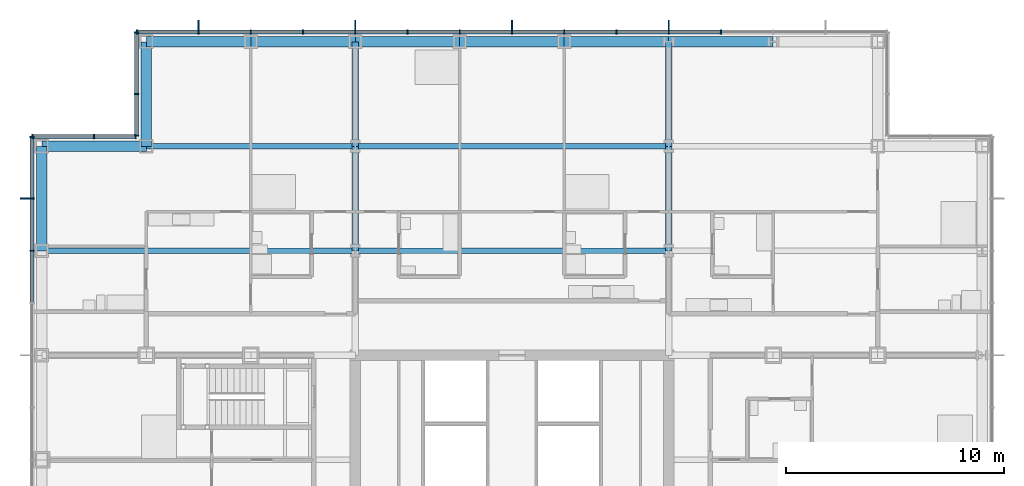
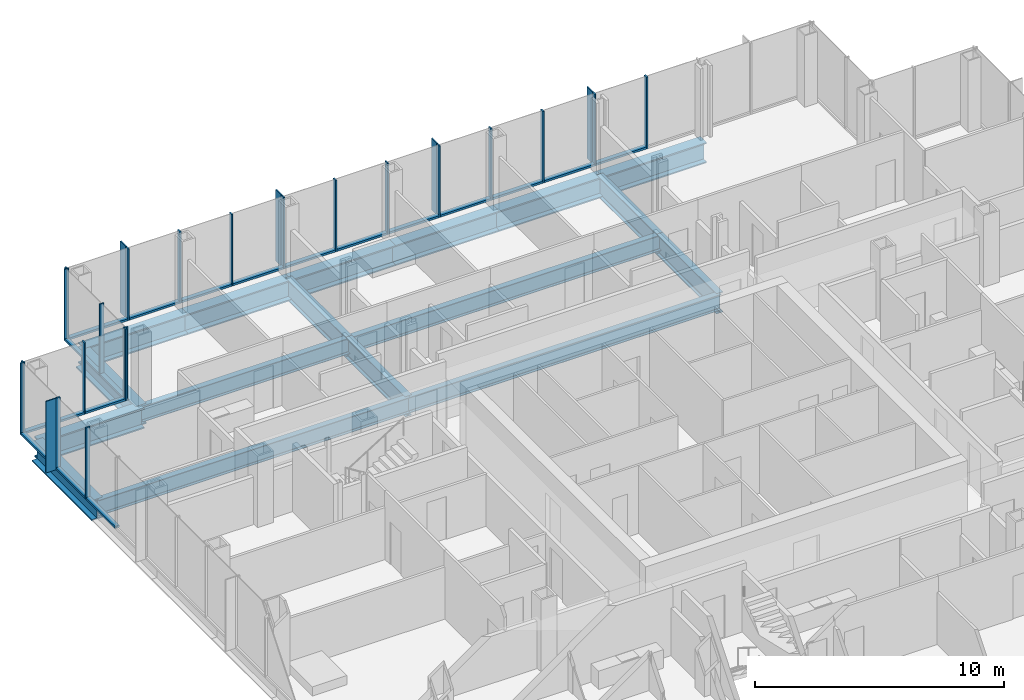
# One storey, part 10 of 21: 44 members, 17 beams, 4 elements without a shape of their own.
"""IFC4 building model written with IfcOpenShell, lengths in metres."""

from ifc_helpers import new_model, si_unit, direction, frame, origin, origin_2d, place, context, subcontext, project, spatial, rectangle, i_section, extrude, material, material_profile, profile_set, type_object, element, aggregate, save


model = new_model("IFC4")

# Units and contexts
model_context = context("Model", 3, precision=1e-05, world=origin(), true_north=direction((0.0, 1.0)))
body_context = subcontext(model_context, "Body", "Model", "MODEL_VIEW")
ifc_project = project(units=[si_unit("LENGTHUNIT", "METRE"), si_unit("AREAUNIT", "SQUARE_METRE"), si_unit("VOLUMEUNIT", "CUBIC_METRE"), si_unit("PLANEANGLEUNIT", "RADIAN"), si_unit("MASSUNIT", "GRAM", prefix="KILO")], contexts=[model_context])

# Site, building, storey
site_placement = place(None, origin())
site = spatial("IfcSite", under=ifc_project, at=site_placement, CompositionType="ELEMENT")
building_placement = place(site_placement, origin())
building = spatial("IfcBuilding", under=site, at=building_placement, Name="Kvirike Care Tower", CompositionType="ELEMENT")
storey_placement = place(building_placement, frame((0.0, 0.0, 58.5)))
storey = spatial("IfcBuildingStorey", under=building, at=storey_placement, Name="L15", CompositionType="ELEMENT", Elevation=58.5)

# Curtain wall, member
ifc_material_1 = material(Name="Anodised aluminium stick system", Category="aluminium")
curtain_wall_type = type_object("IfcCurtainWallType", Name="CW-A STICK CURTAIN WALL", PredefinedType="NOTDEFINED", material=ifc_material_1)
curtain_wall_1_placement = place(storey_placement, origin())
curtain_wall_1 = element("IfcCurtainWall", 1, at=curtain_wall_1_placement, inside=storey, type_object=curtain_wall_type, Name="Curtain wall L15 face 1", PredefinedType="NOTDEFINED")
ifc_material_2 = material(Name="Bronze anodised aluminium fin", Category="aluminium")
ifc_material_profile_1 = material_profile(ifc_material_2, rectangle(XDim=0.050048828125, YDim=0.449951171875, at=origin_2d()), Name="BRONZE FIN 450")
ifc_profile_set_1 = profile_set([ifc_material_profile_1], Name="Bronze anodised aluminium fin")
member_type_1 = type_object("IfcMemberType", Name="BRONZE FIN 450", PredefinedType="USERDEFINED", material=ifc_profile_set_1)
member_1_placement = place(storey_placement, frame((-0.77490234375, 50.39990234375, 0.0), z_axis=(0.0, 0.0, 1.0), x_axis=(0.0, -1.0, 0.0)))
member_1 = element("IfcMember", 2, at=member_1_placement, type_object=member_type_1, Name="Bronze fin L15 face 1.2", ObjectType="FIN", PredefinedType="USERDEFINED", context=body_context, shape_type="SweptSolid", body=[
    extrude(rectangle(XDim=0.050048828125, YDim=0.449951171875, at=origin_2d()), origin(), (0.0, 0.0, 1.0), 3.5),
])

# Curtain wall, members
curtain_wall_2_placement = place(storey_placement, origin())
curtain_wall_2 = element("IfcCurtainWall", 3, at=curtain_wall_2_placement, inside=storey, type_object=curtain_wall_type, Name="Curtain wall L15 face 10", PredefinedType="NOTDEFINED")
member_2_placement = place(storey_placement, frame((28.800048828125, 58.375, 0.0), z_axis=(0.0, 0.0, 1.0), x_axis=(-1.0, 0.0, 0.0)))
member_2 = element("IfcMember", 4, at=member_2_placement, type_object=member_type_1, Name="Bronze fin L15 face 10.5", ObjectType="FIN", PredefinedType="USERDEFINED", context=body_context, shape_type="SweptSolid", body=[
    extrude(rectangle(XDim=0.050048828125, YDim=0.449951171875, at=origin_2d()), origin(), (0.0, 0.0, 1.0), 3.5),
])
member_3_placement = place(storey_placement, frame((21.60009765625, 58.375, 0.0), z_axis=(0.0, 0.0, 1.0), x_axis=(-1.0, 0.0, 0.0)))
member_3 = element("IfcMember", 5, at=member_3_placement, type_object=member_type_1, Name="Bronze fin L15 face 10.8", ObjectType="FIN", PredefinedType="USERDEFINED", context=body_context, shape_type="SweptSolid", body=[
    extrude(rectangle(XDim=0.050048828125, YDim=0.449951171875, at=origin_2d()), origin(), (0.0, 0.0, 1.0), 3.5),
])
member_4_placement = place(storey_placement, frame((14.39990234375, 58.375, 0.0), z_axis=(0.0, 0.0, 1.0), x_axis=(-1.0, 0.0, 0.0)))
member_4 = element("IfcMember", 6, at=member_4_placement, type_object=member_type_1, Name="Bronze fin L15 face 10.11", ObjectType="FIN", PredefinedType="USERDEFINED", context=body_context, shape_type="SweptSolid", body=[
    extrude(rectangle(XDim=0.050048828125, YDim=0.449951171875, at=origin_2d()), origin(), (0.0, 0.0, 1.0), 3.5),
])
member_5_placement = place(storey_placement, frame((7.199951171875, 58.375, 0.0), z_axis=(0.0, 0.0, 1.0), x_axis=(-1.0, 0.0, 0.0)))
member_5 = element("IfcMember", 7, at=member_5_placement, type_object=member_type_1, Name="Bronze fin L15 face 10.14", ObjectType="FIN", PredefinedType="USERDEFINED", context=body_context, shape_type="SweptSolid", body=[
    extrude(rectangle(XDim=0.050048828125, YDim=0.449951171875, at=origin_2d()), origin(), (0.0, 0.0, 1.0), 3.5),
])

# Member
ifc_material_3 = material(Name="Bronze anodised aluminium mullion", Category="aluminium")
ifc_material_profile_2 = material_profile(ifc_material_3, rectangle(XDim=0.06494140625, YDim=0.199951171875, at=origin_2d()), Name="CW-A MULLION 65x200")
ifc_profile_set_2 = profile_set([ifc_material_profile_2], Name="Bronze anodised aluminium mullion")
member_type_2 = type_object("IfcMemberType", Name="CW-A MULLION 65x200", PredefinedType="MULLION", material=ifc_profile_set_2)
member_6_placement = place(storey_placement, frame((-0.449951171875, 53.217529296875, 0.0), z_axis=(0.0, 0.0, 1.0), x_axis=(0.0, -1.0, 0.0)))
member_6 = element("IfcMember", 8, at=member_6_placement, type_object=member_type_2, Name="CW-A mullion L15 face 1.1", PredefinedType="MULLION", context=body_context, shape_type="SweptSolid", body=[
    extrude(rectangle(XDim=0.06494140625, YDim=0.199951171875, at=origin_2d()), origin(), (0.0, 0.0, 1.0), 3.5),
])

member_7_placement = place(storey_placement, frame((-0.449951171875, 50.39990234375, 0.0), z_axis=(0.0, 0.0, 1.0), x_axis=(0.0, -1.0, 0.0)))
member_7 = element("IfcMember", 9, at=member_7_placement, type_object=member_type_2, Name="CW-A mullion L15 face 1.2", PredefinedType="MULLION", context=body_context, shape_type="SweptSolid", body=[
    extrude(rectangle(XDim=0.06494140625, YDim=0.199951171875, at=origin_2d()), origin(), (0.0, 0.0, 1.0), 3.5),
])

member_8_placement = place(storey_placement, frame((-0.449951171875, 48.0, 0.0), z_axis=(0.0, 0.0, 1.0), x_axis=(0.0, -1.0, 0.0)))
member_8 = element("IfcMember", 10, at=member_8_placement, type_object=member_type_2, Name="CW-A mullion L15 face 1.3", PredefinedType="MULLION", context=body_context, shape_type="SweptSolid", body=[
    extrude(rectangle(XDim=0.06494140625, YDim=0.199951171875, at=origin_2d()), origin(), (0.0, 0.0, 1.0), 3.5),
])

member_9_placement = place(storey_placement, frame((31.199951171875, 58.050048828125, 0.0), z_axis=(0.0, 0.0, 1.0), x_axis=(-1.0, 0.0, 0.0)))
member_9 = element("IfcMember", 11, at=member_9_placement, type_object=member_type_2, Name="CW-A mullion L15 face 10.4", PredefinedType="MULLION", context=body_context, shape_type="SweptSolid", body=[
    extrude(rectangle(XDim=0.06494140625, YDim=0.199951171875, at=origin_2d()), origin(), (0.0, 0.0, 1.0), 3.5),
])

member_10_placement = place(storey_placement, frame((28.800048828125, 58.050048828125, 0.0), z_axis=(0.0, 0.0, 1.0), x_axis=(-1.0, 0.0, 0.0)))
member_10 = element("IfcMember", 12, at=member_10_placement, type_object=member_type_2, Name="CW-A mullion L15 face 10.5", PredefinedType="MULLION", context=body_context, shape_type="SweptSolid", body=[
    extrude(rectangle(XDim=0.06494140625, YDim=0.199951171875, at=origin_2d()), origin(), (0.0, 0.0, 1.0), 3.5),
])

member_11_placement = place(storey_placement, frame((26.39990234375, 58.050048828125, 0.0), z_axis=(0.0, 0.0, 1.0), x_axis=(-1.0, 0.0, 0.0)))
member_11 = element("IfcMember", 13, at=member_11_placement, type_object=member_type_2, Name="CW-A mullion L15 face 10.6", PredefinedType="MULLION", context=body_context, shape_type="SweptSolid", body=[
    extrude(rectangle(XDim=0.06494140625, YDim=0.199951171875, at=origin_2d()), origin(), (0.0, 0.0, 1.0), 3.5),
])

member_12_placement = place(storey_placement, frame((24.0, 58.050048828125, 0.0), z_axis=(0.0, 0.0, 1.0), x_axis=(-1.0, 0.0, 0.0)))
member_12 = element("IfcMember", 14, at=member_12_placement, type_object=member_type_2, Name="CW-A mullion L15 face 10.7", PredefinedType="MULLION", context=body_context, shape_type="SweptSolid", body=[
    extrude(rectangle(XDim=0.06494140625, YDim=0.199951171875, at=origin_2d()), origin(), (0.0, 0.0, 1.0), 3.5),
])

member_13_placement = place(storey_placement, frame((21.60009765625, 58.050048828125, 0.0), z_axis=(0.0, 0.0, 1.0), x_axis=(-1.0, 0.0, 0.0)))
member_13 = element("IfcMember", 15, at=member_13_placement, type_object=member_type_2, Name="CW-A mullion L15 face 10.8", PredefinedType="MULLION", context=body_context, shape_type="SweptSolid", body=[
    extrude(rectangle(XDim=0.06494140625, YDim=0.199951171875, at=origin_2d()), origin(), (0.0, 0.0, 1.0), 3.5),
])

member_14_placement = place(storey_placement, frame((19.199951171875, 58.050048828125, 0.0), z_axis=(0.0, 0.0, 1.0), x_axis=(-1.0, 0.0, 0.0)))
member_14 = element("IfcMember", 16, at=member_14_placement, type_object=member_type_2, Name="CW-A mullion L15 face 10.9", PredefinedType="MULLION", context=body_context, shape_type="SweptSolid", body=[
    extrude(rectangle(XDim=0.06494140625, YDim=0.199951171875, at=origin_2d()), origin(), (0.0, 0.0, 1.0), 3.5),
])

member_15_placement = place(storey_placement, frame((16.800048828125, 58.050048828125, 0.0), z_axis=(0.0, 0.0, 1.0), x_axis=(-1.0, 0.0, 0.0)))
member_15 = element("IfcMember", 17, at=member_15_placement, type_object=member_type_2, Name="CW-A mullion L15 face 10.10", PredefinedType="MULLION", context=body_context, shape_type="SweptSolid", body=[
    extrude(rectangle(XDim=0.06494140625, YDim=0.199951171875, at=origin_2d()), origin(), (0.0, 0.0, 1.0), 3.5),
])

member_16_placement = place(storey_placement, frame((14.39990234375, 58.050048828125, 0.0), z_axis=(0.0, 0.0, 1.0), x_axis=(-1.0, 0.0, 0.0)))
member_16 = element("IfcMember", 18, at=member_16_placement, type_object=member_type_2, Name="CW-A mullion L15 face 10.11", PredefinedType="MULLION", context=body_context, shape_type="SweptSolid", body=[
    extrude(rectangle(XDim=0.06494140625, YDim=0.199951171875, at=origin_2d()), origin(), (0.0, 0.0, 1.0), 3.5),
])

member_17_placement = place(storey_placement, frame((12.0, 58.050048828125, 0.0), z_axis=(0.0, 0.0, 1.0), x_axis=(-1.0, 0.0, 0.0)))
member_17 = element("IfcMember", 19, at=member_17_placement, type_object=member_type_2, Name="CW-A mullion L15 face 10.12", PredefinedType="MULLION", context=body_context, shape_type="SweptSolid", body=[
    extrude(rectangle(XDim=0.06494140625, YDim=0.199951171875, at=origin_2d()), origin(), (0.0, 0.0, 1.0), 3.5),
])

member_18_placement = place(storey_placement, frame((9.60009765625, 58.050048828125, 0.0), z_axis=(0.0, 0.0, 1.0), x_axis=(-1.0, 0.0, 0.0)))
member_18 = element("IfcMember", 20, at=member_18_placement, type_object=member_type_2, Name="CW-A mullion L15 face 10.13", PredefinedType="MULLION", context=body_context, shape_type="SweptSolid", body=[
    extrude(rectangle(XDim=0.06494140625, YDim=0.199951171875, at=origin_2d()), origin(), (0.0, 0.0, 1.0), 3.5),
])

member_19_placement = place(storey_placement, frame((7.199951171875, 58.050048828125, 0.0), z_axis=(0.0, 0.0, 1.0), x_axis=(-1.0, 0.0, 0.0)))
member_19 = element("IfcMember", 21, at=member_19_placement, type_object=member_type_2, Name="CW-A mullion L15 face 10.14", PredefinedType="MULLION", context=body_context, shape_type="SweptSolid", body=[
    extrude(rectangle(XDim=0.06494140625, YDim=0.199951171875, at=origin_2d()), origin(), (0.0, 0.0, 1.0), 3.5),
])

member_20_placement = place(storey_placement, frame((4.382568359375, 58.050048828125, 0.0), z_axis=(0.0, 0.0, 1.0), x_axis=(-1.0, 0.0, 0.0)))
member_20 = element("IfcMember", 22, at=member_20_placement, type_object=member_type_2, Name="CW-A mullion L15 face 10.15", PredefinedType="MULLION", context=body_context, shape_type="SweptSolid", body=[
    extrude(rectangle(XDim=0.06494140625, YDim=0.199951171875, at=origin_2d()), origin(), (0.0, 0.0, 1.0), 3.5),
])

# Curtain wall, members
curtain_wall_3_placement = place(storey_placement, origin())
curtain_wall_3 = element("IfcCurtainWall", 23, at=curtain_wall_3_placement, inside=storey, type_object=curtain_wall_type, Name="Curtain wall L15 face 11", PredefinedType="NOTDEFINED")
member_21_placement = place(storey_placement, frame((4.35009765625, 58.017578125, 0.0), z_axis=(0.0, 0.0, 1.0), x_axis=(0.0, -1.0, 0.0)))
member_21 = element("IfcMember", 24, at=member_21_placement, type_object=member_type_2, Name="CW-A mullion L15 face 11.1", PredefinedType="MULLION", context=body_context, shape_type="SweptSolid", body=[
    extrude(rectangle(XDim=0.06494140625, YDim=0.199951171875, at=origin_2d()), origin(), (0.0, 0.0, 1.0), 3.5),
])
member_22_placement = place(storey_placement, frame((4.35009765625, 55.199951171875, 0.0), z_axis=(0.0, 0.0, 1.0), x_axis=(0.0, -1.0, 0.0)))
member_22 = element("IfcMember", 25, at=member_22_placement, type_object=member_type_2, Name="CW-A mullion L15 face 11.2", PredefinedType="MULLION", context=body_context, shape_type="SweptSolid", body=[
    extrude(rectangle(XDim=0.06494140625, YDim=0.199951171875, at=origin_2d()), origin(), (0.0, 0.0, 1.0), 3.5),
])
member_23_placement = place(storey_placement, frame((4.35009765625, 53.282470703125, 0.0), z_axis=(0.0, 0.0, 1.0), x_axis=(0.0, -1.0, 0.0)))
member_23 = element("IfcMember", 26, at=member_23_placement, type_object=member_type_2, Name="CW-A mullion L15 face 11.3", PredefinedType="MULLION", context=body_context, shape_type="SweptSolid", body=[
    extrude(rectangle(XDim=0.06494140625, YDim=0.199951171875, at=origin_2d()), origin(), (0.0, 0.0, 1.0), 3.5),
])

curtain_wall_4_placement = place(storey_placement, origin())
curtain_wall_4 = element("IfcCurtainWall", 27, at=curtain_wall_4_placement, inside=storey, type_object=curtain_wall_type, Name="Curtain wall L15 face 12", PredefinedType="NOTDEFINED")
member_24_placement = place(storey_placement, frame((4.3173828125, 53.25, 0.0), z_axis=(0.0, 0.0, 1.0), x_axis=(-1.0, 0.0, 0.0)))
member_24 = element("IfcMember", 28, at=member_24_placement, type_object=member_type_2, Name="CW-A mullion L15 face 12.1", PredefinedType="MULLION", context=body_context, shape_type="SweptSolid", body=[
    extrude(rectangle(XDim=0.06494140625, YDim=0.199951171875, at=origin_2d()), origin(), (0.0, 0.0, 1.0), 3.5),
])
member_25_placement = place(storey_placement, frame((2.39990234375, 53.25, 0.0), z_axis=(0.0, 0.0, 1.0), x_axis=(-1.0, 0.0, 0.0)))
member_25 = element("IfcMember", 29, at=member_25_placement, type_object=member_type_2, Name="CW-A mullion L15 face 12.2", PredefinedType="MULLION", context=body_context, shape_type="SweptSolid", body=[
    extrude(rectangle(XDim=0.06494140625, YDim=0.199951171875, at=origin_2d()), origin(), (0.0, 0.0, 1.0), 3.5),
])
member_26_placement = place(storey_placement, frame((-0.41748046875, 53.25, 0.0), z_axis=(0.0, 0.0, 1.0), x_axis=(-1.0, 0.0, 0.0)))
member_26 = element("IfcMember", 30, at=member_26_placement, type_object=member_type_2, Name="CW-A mullion L15 face 12.3", PredefinedType="MULLION", context=body_context, shape_type="SweptSolid", body=[
    extrude(rectangle(XDim=0.06494140625, YDim=0.199951171875, at=origin_2d()), origin(), (0.0, 0.0, 1.0), 3.5),
])

# Member
ifc_material_4 = material(Name="Bronze anodised aluminium transom", Category="aluminium")
ifc_material_profile_3 = material_profile(ifc_material_4, rectangle(XDim=0.199951171875, YDim=0.10009765625, at=origin_2d()), Name="CW-A TRANSOM 200x100")
ifc_profile_set_3 = profile_set([ifc_material_profile_3], Name="Bronze anodised aluminium transom")
member_type_3 = type_object("IfcMemberType", Name="CW-A TRANSOM 200x100", PredefinedType="USERDEFINED", material=ifc_profile_set_3)
member_27_placement = place(storey_placement, frame((-0.449951171875, 53.18505859375, 0.050048828125), z_axis=(0.0, -1.0, 0.0), x_axis=(1.0, 0.0, 0.0)))
member_27 = element("IfcMember", 31, at=member_27_placement, type_object=member_type_3, Name="CW-A sill transom L15 face 1.1", ObjectType="TRANSOM", PredefinedType="USERDEFINED", context=body_context, shape_type="SweptSolid", body=[
    extrude(rectangle(XDim=0.199951171875, YDim=0.10009765625, at=origin_2d()), origin(), (0.0, 0.0, 1.0), 2.75244140625),
])

member_28_placement = place(storey_placement, frame((-0.449951171875, 50.367431640625, 0.050048828125), z_axis=(0.0, -1.0, 0.0), x_axis=(1.0, 0.0, 0.0)))
member_28 = element("IfcMember", 32, at=member_28_placement, type_object=member_type_3, Name="CW-A sill transom L15 face 1.2", ObjectType="TRANSOM", PredefinedType="USERDEFINED", context=body_context, shape_type="SweptSolid", body=[
    extrude(rectangle(XDim=0.199951171875, YDim=0.10009765625, at=origin_2d()), origin(), (0.0, 0.0, 1.0), 2.3349609375),
])

member_29_placement = place(storey_placement, frame((-0.449951171875, 47.967529296875, 0.050048828125), z_axis=(0.0, -1.0, 0.0), x_axis=(1.0, 0.0, 0.0)))
member_29 = element("IfcMember", 33, at=member_29_placement, type_object=member_type_3, Name="CW-A sill transom L15 face 1.3", ObjectType="TRANSOM", PredefinedType="USERDEFINED", context=body_context, shape_type="SweptSolid", body=[
    extrude(rectangle(XDim=0.199951171875, YDim=0.10009765625, at=origin_2d()), origin(), (0.0, 0.0, 1.0), 2.3349609375),
])

aggregate(curtain_wall_1, [member_6, member_7, member_1, member_8, member_27, member_28, member_29])

member_30_placement = place(storey_placement, frame((31.16748046875, 58.050048828125, 0.050048828125), z_axis=(-1.0, 0.0, 0.0), x_axis=(0.0, -1.0, 0.0)))
member_30 = element("IfcMember", 34, at=member_30_placement, type_object=member_type_3, Name="CW-A sill transom L15 face 10.4", ObjectType="TRANSOM", PredefinedType="USERDEFINED", context=body_context, shape_type="SweptSolid", body=[
    extrude(rectangle(XDim=0.199951171875, YDim=0.10009765625, at=origin_2d()), origin(), (0.0, 0.0, 1.0), 2.3349609375),
])

member_31_placement = place(storey_placement, frame((28.767578125, 58.050048828125, 0.050048828125), z_axis=(-1.0, 0.0, 0.0), x_axis=(0.0, -1.0, 0.0)))
member_31 = element("IfcMember", 35, at=member_31_placement, type_object=member_type_3, Name="CW-A sill transom L15 face 10.5", ObjectType="TRANSOM", PredefinedType="USERDEFINED", context=body_context, shape_type="SweptSolid", body=[
    extrude(rectangle(XDim=0.199951171875, YDim=0.10009765625, at=origin_2d()), origin(), (0.0, 0.0, 1.0), 2.3349609375),
])

member_32_placement = place(storey_placement, frame((26.367431640625, 58.050048828125, 0.050048828125), z_axis=(-1.0, 0.0, 0.0), x_axis=(0.0, -1.0, 0.0)))
member_32 = element("IfcMember", 36, at=member_32_placement, type_object=member_type_3, Name="CW-A sill transom L15 face 10.6", ObjectType="TRANSOM", PredefinedType="USERDEFINED", context=body_context, shape_type="SweptSolid", body=[
    extrude(rectangle(XDim=0.199951171875, YDim=0.10009765625, at=origin_2d()), origin(), (0.0, 0.0, 1.0), 2.3349609375),
])

member_33_placement = place(storey_placement, frame((23.967529296875, 58.050048828125, 0.050048828125), z_axis=(-1.0, 0.0, 0.0), x_axis=(0.0, -1.0, 0.0)))
member_33 = element("IfcMember", 37, at=member_33_placement, type_object=member_type_3, Name="CW-A sill transom L15 face 10.7", ObjectType="TRANSOM", PredefinedType="USERDEFINED", context=body_context, shape_type="SweptSolid", body=[
    extrude(rectangle(XDim=0.199951171875, YDim=0.10009765625, at=origin_2d()), origin(), (0.0, 0.0, 1.0), 2.3349609375),
])

member_34_placement = place(storey_placement, frame((21.5673828125, 58.050048828125, 0.050048828125), z_axis=(-1.0, 0.0, 0.0), x_axis=(0.0, -1.0, 0.0)))
member_34 = element("IfcMember", 38, at=member_34_placement, type_object=member_type_3, Name="CW-A sill transom L15 face 10.8", ObjectType="TRANSOM", PredefinedType="USERDEFINED", context=body_context, shape_type="SweptSolid", body=[
    extrude(rectangle(XDim=0.199951171875, YDim=0.10009765625, at=origin_2d()), origin(), (0.0, 0.0, 1.0), 2.3349609375),
])

member_35_placement = place(storey_placement, frame((19.16748046875, 58.050048828125, 0.050048828125), z_axis=(-1.0, 0.0, 0.0), x_axis=(0.0, -1.0, 0.0)))
member_35 = element("IfcMember", 39, at=member_35_placement, type_object=member_type_3, Name="CW-A sill transom L15 face 10.9", ObjectType="TRANSOM", PredefinedType="USERDEFINED", context=body_context, shape_type="SweptSolid", body=[
    extrude(rectangle(XDim=0.199951171875, YDim=0.10009765625, at=origin_2d()), origin(), (0.0, 0.0, 1.0), 2.3349609375),
])

member_36_placement = place(storey_placement, frame((16.767578125, 58.050048828125, 0.050048828125), z_axis=(-1.0, 0.0, 0.0), x_axis=(0.0, -1.0, 0.0)))
member_36 = element("IfcMember", 40, at=member_36_placement, type_object=member_type_3, Name="CW-A sill transom L15 face 10.10", ObjectType="TRANSOM", PredefinedType="USERDEFINED", context=body_context, shape_type="SweptSolid", body=[
    extrude(rectangle(XDim=0.199951171875, YDim=0.10009765625, at=origin_2d()), origin(), (0.0, 0.0, 1.0), 2.3349609375),
])

member_37_placement = place(storey_placement, frame((14.367431640625, 58.050048828125, 0.050048828125), z_axis=(-1.0, 0.0, 0.0), x_axis=(0.0, -1.0, 0.0)))
member_37 = element("IfcMember", 41, at=member_37_placement, type_object=member_type_3, Name="CW-A sill transom L15 face 10.11", ObjectType="TRANSOM", PredefinedType="USERDEFINED", context=body_context, shape_type="SweptSolid", body=[
    extrude(rectangle(XDim=0.199951171875, YDim=0.10009765625, at=origin_2d()), origin(), (0.0, 0.0, 1.0), 2.3349609375),
])

member_38_placement = place(storey_placement, frame((11.967529296875, 58.050048828125, 0.050048828125), z_axis=(-1.0, 0.0, 0.0), x_axis=(0.0, -1.0, 0.0)))
member_38 = element("IfcMember", 42, at=member_38_placement, type_object=member_type_3, Name="CW-A sill transom L15 face 10.12", ObjectType="TRANSOM", PredefinedType="USERDEFINED", context=body_context, shape_type="SweptSolid", body=[
    extrude(rectangle(XDim=0.199951171875, YDim=0.10009765625, at=origin_2d()), origin(), (0.0, 0.0, 1.0), 2.3349609375),
])

member_39_placement = place(storey_placement, frame((9.5673828125, 58.050048828125, 0.050048828125), z_axis=(-1.0, 0.0, 0.0), x_axis=(0.0, -1.0, 0.0)))
member_39 = element("IfcMember", 43, at=member_39_placement, type_object=member_type_3, Name="CW-A sill transom L15 face 10.13", ObjectType="TRANSOM", PredefinedType="USERDEFINED", context=body_context, shape_type="SweptSolid", body=[
    extrude(rectangle(XDim=0.199951171875, YDim=0.10009765625, at=origin_2d()), origin(), (0.0, 0.0, 1.0), 2.3349609375),
])

member_40_placement = place(storey_placement, frame((7.16748046875, 58.050048828125, 0.050048828125), z_axis=(-1.0, 0.0, 0.0), x_axis=(0.0, -1.0, 0.0)))
member_40 = element("IfcMember", 44, at=member_40_placement, type_object=member_type_3, Name="CW-A sill transom L15 face 10.14", ObjectType="TRANSOM", PredefinedType="USERDEFINED", context=body_context, shape_type="SweptSolid", body=[
    extrude(rectangle(XDim=0.199951171875, YDim=0.10009765625, at=origin_2d()), origin(), (0.0, 0.0, 1.0), 2.75244140625),
])

aggregate(curtain_wall_2, [member_9, member_10, member_2, member_11, member_12, member_13, member_3, member_14, member_15, member_16, member_4, member_17, member_18, member_19, member_5, member_20, member_30, member_31, member_32, member_33, member_34, member_35, member_36, member_37, member_38, member_39, member_40])

member_41_placement = place(storey_placement, frame((4.35009765625, 57.985107421875, 0.050048828125), z_axis=(0.0, -1.0, 0.0), x_axis=(1.0, 0.0, 0.0)))
member_41 = element("IfcMember", 45, at=member_41_placement, type_object=member_type_3, Name="CW-A sill transom L15 face 11.1", ObjectType="TRANSOM", PredefinedType="USERDEFINED", context=body_context, shape_type="SweptSolid", body=[
    extrude(rectangle(XDim=0.199951171875, YDim=0.10009765625, at=origin_2d()), origin(), (0.0, 0.0, 1.0), 2.752685546875),
])

member_42_placement = place(storey_placement, frame((4.35009765625, 55.16748046875, 0.050048828125), z_axis=(0.0, -1.0, 0.0), x_axis=(1.0, 0.0, 0.0)))
member_42 = element("IfcMember", 46, at=member_42_placement, type_object=member_type_3, Name="CW-A sill transom L15 face 11.2", ObjectType="TRANSOM", PredefinedType="USERDEFINED", context=body_context, shape_type="SweptSolid", body=[
    extrude(rectangle(XDim=0.199951171875, YDim=0.10009765625, at=origin_2d()), origin(), (0.0, 0.0, 1.0), 1.8525390625),
])

aggregate(curtain_wall_3, [member_21, member_22, member_23, member_41, member_42])

member_43_placement = place(storey_placement, frame((4.284912109375, 53.25, 0.050048828125), z_axis=(-1.0, 0.0, 0.0), x_axis=(0.0, -1.0, 0.0)))
member_43 = element("IfcMember", 47, at=member_43_placement, type_object=member_type_3, Name="CW-A sill transom L15 face 12.1", ObjectType="TRANSOM", PredefinedType="USERDEFINED", context=body_context, shape_type="SweptSolid", body=[
    extrude(rectangle(XDim=0.199951171875, YDim=0.10009765625, at=origin_2d()), origin(), (0.0, 0.0, 1.0), 1.852294921875),
])

member_44_placement = place(storey_placement, frame((2.367431640625, 53.25, 0.050048828125), z_axis=(-1.0, 0.0, 0.0), x_axis=(0.0, -1.0, 0.0)))
member_44 = element("IfcMember", 48, at=member_44_placement, type_object=member_type_3, Name="CW-A sill transom L15 face 12.2", ObjectType="TRANSOM", PredefinedType="USERDEFINED", context=body_context, shape_type="SweptSolid", body=[
    extrude(rectangle(XDim=0.199951171875, YDim=0.10009765625, at=origin_2d()), origin(), (0.0, 0.0, 1.0), 2.75244140625),
])

aggregate(curtain_wall_4, [member_24, member_25, member_26, member_43, member_44])

# Beams
ifc_material_5 = material(Name="Steel S355", Category="steel")
ifc_material_profile_4 = material_profile(ifc_material_5, i_section(OverallWidth=0.26806640625, OverallDepth=0.77001953125, WebThickness=0.015625, FlangeThickness=0.025390625, FilletRadius=0.01708984375, at=origin_2d()), Name="IPE 750x196")
ifc_profile_set_4 = profile_set([ifc_material_profile_4], Name="Steel S355")
beam_type_1 = type_object("IfcBeamType", Name="FLOOR BEAM IPE 750x196", PredefinedType="BEAM", material=ifc_profile_set_4)
beam_1_placement = place(storey_placement, frame((0.0, 48.0, -0.554931640625), z_axis=(1.0, 0.0, 0.0), x_axis=(0.0, 1.0, 0.0)))
element("IfcBeam", 49, at=beam_1_placement, inside=storey, type_object=beam_type_1, Name="Floor Beam L3-L6 L15", PredefinedType="BEAM", context=body_context, shape_type="SweptSolid", body=[
    extrude(i_section(OverallWidth=0.26806640625, OverallDepth=0.77001953125, WebThickness=0.015625, FlangeThickness=0.025390625, FilletRadius=0.01708984375, at=origin_2d()), origin(), (0.0, 0.0, 1.0), 14.39990234375),
])
beam_2_placement = place(storey_placement, frame((14.39990234375, 48.0, -0.554931640625), z_axis=(1.0, 0.0, 0.0), x_axis=(0.0, 1.0, 0.0)))
element("IfcBeam", 50, at=beam_2_placement, inside=storey, type_object=beam_type_1, Name="Floor Beam L6-L9 L15", PredefinedType="BEAM", context=body_context, shape_type="SweptSolid", body=[
    extrude(i_section(OverallWidth=0.26806640625, OverallDepth=0.77001953125, WebThickness=0.015625, FlangeThickness=0.025390625, FilletRadius=0.01708984375, at=origin_2d()), origin(), (0.0, 0.0, 1.0), 14.400146484375),
])
beam_3_placement = place(storey_placement, frame((4.800048828125, 52.800048828125, -0.554931640625), z_axis=(1.0, 0.0, 0.0), x_axis=(0.0, 1.0, 0.0)))
element("IfcBeam", 51, at=beam_3_placement, inside=storey, type_object=beam_type_1, Name="Floor Beam M4-M6 L15", PredefinedType="BEAM", context=body_context, shape_type="SweptSolid", body=[
    extrude(i_section(OverallWidth=0.26806640625, OverallDepth=0.77001953125, WebThickness=0.015625, FlangeThickness=0.025390625, FilletRadius=0.01708984375, at=origin_2d()), origin(), (0.0, 0.0, 1.0), 9.599853515625),
])
beam_4_placement = place(storey_placement, frame((14.39990234375, 52.800048828125, -0.554931640625), z_axis=(1.0, 0.0, 0.0), x_axis=(0.0, 1.0, 0.0)))
element("IfcBeam", 52, at=beam_4_placement, inside=storey, type_object=beam_type_1, Name="Floor Beam M6-M9 L15", PredefinedType="BEAM", context=body_context, shape_type="SweptSolid", body=[
    extrude(i_section(OverallWidth=0.26806640625, OverallDepth=0.77001953125, WebThickness=0.015625, FlangeThickness=0.025390625, FilletRadius=0.01708984375, at=origin_2d()), origin(), (0.0, 0.0, 1.0), 14.400146484375),
])
ifc_material_6 = material(Name="Steel S355", Category="steel")
ifc_material_profile_5 = material_profile(ifc_material_6, i_section(OverallWidth=0.300048828125, OverallDepth=1.0, WebThickness=0.01904296875, FlangeThickness=0.035888671875, FilletRadius=0.030029296875, at=origin_2d()), Name="HE 1000 B")
ifc_profile_set_5 = profile_set([ifc_material_profile_5], Name="Steel S355")
beam_type_2 = type_object("IfcBeamType", Name="FRAME BEAM HE 1000 B", PredefinedType="BEAM", material=ifc_profile_set_5)
for number, where, z_axis, x_axis, name in (
    (53, (14.39990234375, 48.0, -0.669921875), (0.0, 1.0, 0.0), (-1.0, 0.0, 0.0), "Frame Beam L6-M6 L15"),
    (54, (14.39990234375, 52.800048828125, -0.669921875), (0.0, 1.0, 0.0), (-1.0, 0.0, 0.0), "Frame Beam M6-N6 L15"),
    (55, (28.800048828125, 48.0, -0.669921875), (0.0, 1.0, 0.0), (-1.0, 0.0, 0.0), "Frame Beam L9-M9 L15"),
    (56, (28.800048828125, 52.800048828125, -0.669921875), (0.0, 1.0, 0.0), (-1.0, 0.0, 0.0), "Frame Beam M9-N9 L15"),
):
    element("IfcBeam", number, at=place(storey_placement, frame(where, z_axis=z_axis, x_axis=x_axis)), inside=storey, type_object=beam_type_2, Name=name, PredefinedType="BEAM", context=body_context, shape_type="SweptSolid", body=[
        extrude(i_section(OverallWidth=0.300048828125, OverallDepth=1.0, WebThickness=0.01904296875, FlangeThickness=0.035888671875, FilletRadius=0.030029296875, at=origin_2d()), origin(), (0.0, 0.0, 1.0), 4.800048828125),
    ])
ifc_material_7 = material(Name="Steel S355", Category="steel")
ifc_material_profile_6 = material_profile(ifc_material_7, i_section(OverallWidth=0.5, OverallDepth=1.0, WebThickness=0.030029296875, FlangeThickness=0.06005859375, at=origin_2d()), Name="PG 1000x500x30x60")
ifc_profile_set_6 = profile_set([ifc_material_profile_6], Name="Steel S355")
beam_type_3 = type_object("IfcBeamType", Name="SPANDREL PG 1000x500x30x60", PredefinedType="SPANDREL", material=ifc_profile_set_6)
for number, where, z_axis, x_axis, name in (
    (57, (0.0, 52.800048828125, -0.669921875), (1.0, 0.0, 0.0), (0.0, 1.0, 0.0), "Spandrel M3-M4 L15"),
    (58, (4.800048828125, 57.60009765625, -0.669921875), (1.0, 0.0, 0.0), (0.0, 1.0, 0.0), "Spandrel N4-N5 L15"),
):
    element("IfcBeam", number, at=place(storey_placement, frame(where, z_axis=z_axis, x_axis=x_axis)), inside=storey, type_object=beam_type_3, Name=name, PredefinedType="SPANDREL", context=body_context, shape_type="SweptSolid", body=[
        extrude(i_section(OverallWidth=0.5, OverallDepth=1.0, WebThickness=0.030029296875, FlangeThickness=0.06005859375, at=origin_2d()), origin(), (0.0, 0.0, 1.0), 4.800048828125),
    ])
beam_5_placement = place(storey_placement, frame((9.60009765625, 57.60009765625, -0.669921875), z_axis=(1.0, 0.0, 0.0), x_axis=(0.0, 1.0, 0.0)))
element("IfcBeam", 59, at=beam_5_placement, inside=storey, type_object=beam_type_3, Name="Spandrel N5-N6 L15", PredefinedType="SPANDREL", context=body_context, shape_type="SweptSolid", body=[
    extrude(i_section(OverallWidth=0.5, OverallDepth=1.0, WebThickness=0.030029296875, FlangeThickness=0.06005859375, at=origin_2d()), origin(), (0.0, 0.0, 1.0), 4.7998046875),
])
for number, where, z_axis, x_axis, name in (
    (60, (14.39990234375, 57.60009765625, -0.669921875), (1.0, 0.0, 0.0), (0.0, 1.0, 0.0), "Spandrel N6-N7 L15"),
    (61, (19.199951171875, 57.60009765625, -0.669921875), (1.0, 0.0, 0.0), (0.0, 1.0, 0.0), "Spandrel N7-N8 L15"),
    (62, (24.0, 57.60009765625, -0.669921875), (1.0, 0.0, 0.0), (0.0, 1.0, 0.0), "Spandrel N8-N9 L15"),
    (63, (28.800048828125, 57.60009765625, -0.669921875), (1.0, 0.0, 0.0), (0.0, 1.0, 0.0), "Spandrel N9-N10 L15"),
    (64, (0.0, 48.0, -0.669921875), (0.0, 1.0, 0.0), (-1.0, 0.0, 0.0), "Spandrel L3-M3 L15"),
    (65, (4.800048828125, 52.800048828125, -0.669921875), (0.0, 1.0, 0.0), (-1.0, 0.0, 0.0), "Spandrel M4-N4 L15"),
):
    element("IfcBeam", number, at=place(storey_placement, frame(where, z_axis=z_axis, x_axis=x_axis)), inside=storey, type_object=beam_type_3, Name=name, PredefinedType="SPANDREL", context=body_context, shape_type="SweptSolid", body=[
        extrude(i_section(OverallWidth=0.5, OverallDepth=1.0, WebThickness=0.030029296875, FlangeThickness=0.06005859375, at=origin_2d()), origin(), (0.0, 0.0, 1.0), 4.800048828125),
    ])

save(model, "model.ifc")
